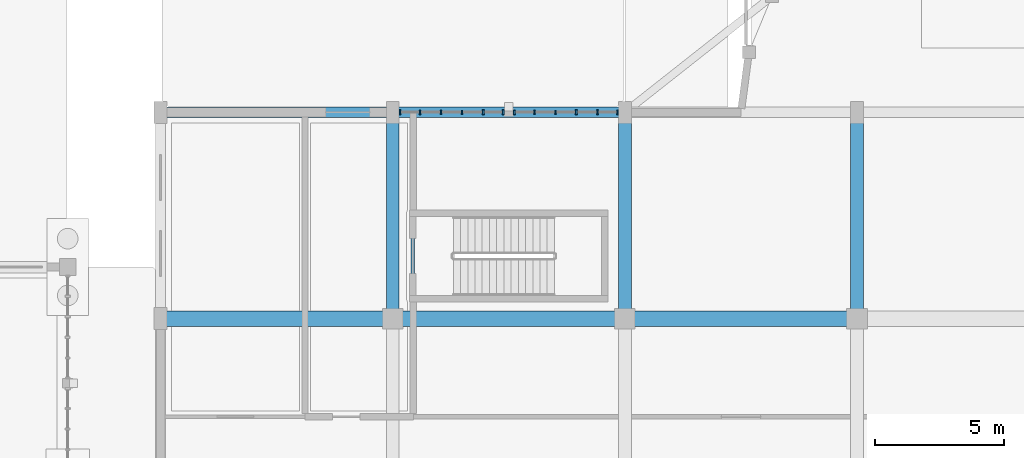
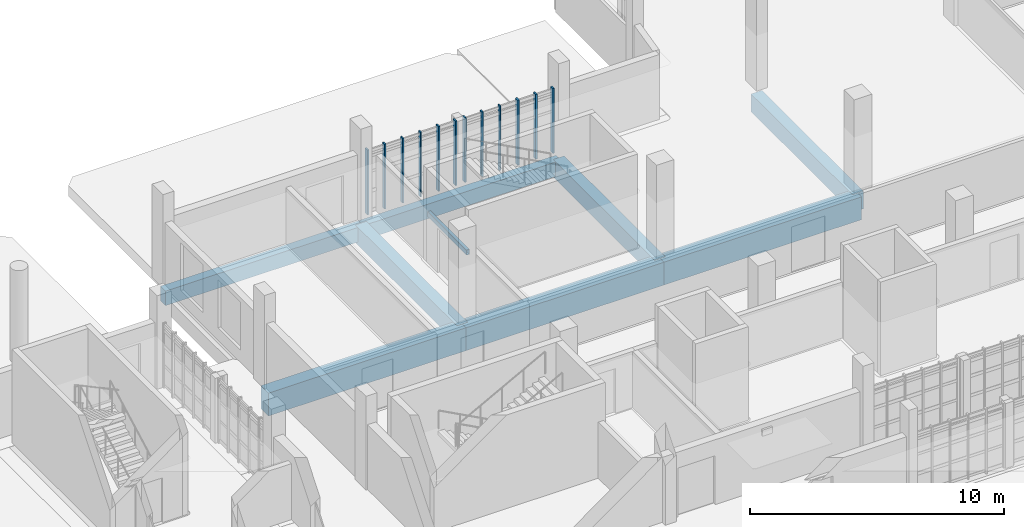
# One storey, part 17 of 63: 12 members, 9 beams, 2 elements without a shape of their own.
"""IFC4 building model written with IfcOpenShell, lengths in metres."""

from ifc_helpers import new_model, si_unit, direction, frame, origin, origin_2d, place, context, subcontext, project, spatial, rectangle, hollow_rectangle, extrude, material, material_profile, profile_set, type_object, element, aggregate, save


model = new_model("IFC4")

# Units and contexts
model_context = context("Model", 3, precision=1e-05, world=origin(), true_north=direction((0.0, 1.0)))
body_context = subcontext(model_context, "Body", "Model", "MODEL_VIEW")
ifc_project = project(units=[si_unit("LENGTHUNIT", "METRE"), si_unit("AREAUNIT", "SQUARE_METRE"), si_unit("VOLUMEUNIT", "CUBIC_METRE"), si_unit("PLANEANGLEUNIT", "RADIAN"), si_unit("MASSUNIT", "GRAM", prefix="KILO")], contexts=[model_context])

# Site, building, storey
site_placement = place(None, origin())
site = spatial("IfcSite", under=ifc_project, at=site_placement, CompositionType="ELEMENT")
building_placement = place(site_placement, origin())
building = spatial("IfcBuilding", under=site, at=building_placement, Name="Serraforn Aerial Cableway Station", CompositionType="ELEMENT")
storey_placement = place(building_placement, origin())
storey = spatial("IfcBuildingStorey", under=building, at=storey_placement, Name="L00", CompositionType="ELEMENT", Elevation=0.0)

# Beams
ifc_material_1 = material(Name="Concrete C35/45", Category="concrete")
ifc_material_profile_1 = material_profile(ifc_material_1, rectangle(XDim=0.39990234375, YDim=0.699951171875, at=origin_2d()), Name="RC 400x700")
ifc_profile_set_1 = profile_set([ifc_material_profile_1], Name="Concrete C35/45")
beam_type_1 = type_object("IfcBeamType", Name="BM-RC-400x700E", PredefinedType="SPANDREL", material=ifc_profile_set_1)
for number, where, z_axis, x_axis, name in (
    (1, (27.60009765625, 42.0, -0.7099609375), (1.0, 0.0, 0.0), (0.0, 1.0, 0.0), "Grid Girder X CV L00 Y4-1"),
    (2, (36.60009765625, 42.0, -0.7099609375), (1.0, 0.0, 0.0), (0.0, 1.0, 0.0), "Grid Girder X CV L00 Y4-2"),
):
    element("IfcBeam", number, at=place(storey_placement, frame(where, z_axis=z_axis, x_axis=x_axis)), inside=storey, type_object=beam_type_1, Name=name, PredefinedType="SPANDREL", context=body_context, shape_type="SweptSolid", body=[
        extrude(rectangle(XDim=0.39990234375, YDim=0.699951171875, at=origin_2d()), origin(), (0.0, 0.0, 1.0), 9.0),
    ])
ifc_material_profile_2 = material_profile(ifc_material_1, rectangle(XDim=0.5, YDim=0.85009765625, at=origin_2d()), Name="RC 500x850")
ifc_profile_set_2 = profile_set([ifc_material_profile_2], Name="Concrete C35/45")
beam_type_2 = type_object("IfcBeamType", Name="BM-RC-500x850", PredefinedType="USERDEFINED", material=ifc_profile_set_2)
for number, where, z_axis, x_axis, name in (
    (3, (36.60009765625, 34.0, -0.784912109375), (0.0, 1.0, 0.0), (-1.0, 0.0, 0.0), "Grid Girder Y CV L00 X2-3"),
    (4, (45.60009765625, 34.0, -0.784912109375), (0.0, 1.0, 0.0), (-1.0, 0.0, 0.0), "Grid Girder Y CV L00 X3-3"),
    (5, (54.60009765625, 34.0, -0.784912109375), (0.0, 1.0, 0.0), (-1.0, 0.0, 0.0), "Grid Girder Y CV L00 X4-3"),
):
    element("IfcBeam", number, at=place(storey_placement, frame(where, z_axis=z_axis, x_axis=x_axis)), inside=storey, type_object=beam_type_2, Name=name, ObjectType="GIRDER", PredefinedType="USERDEFINED", context=body_context, shape_type="SweptSolid", body=[
        extrude(rectangle(XDim=0.5, YDim=0.85009765625, at=origin_2d()), origin(), (0.0, 0.0, 1.0), 8.0),
    ])
ifc_material_2 = material(Name="Concrete C40/50", Category="concrete")
ifc_material_profile_3 = material_profile(ifc_material_2, rectangle(XDim=0.60009765625, YDim=1.10009765625, at=origin_2d()), Name="RC 600x1100")
ifc_profile_set_3 = profile_set([ifc_material_profile_3], Name="Concrete C40/50")
beam_type_3 = type_object("IfcBeamType", Name="BM-RC-600x1100", PredefinedType="USERDEFINED", material=ifc_profile_set_3)
for number, where, z_axis, x_axis, name in (
    (6, (27.60009765625, 34.0, -0.909912109375), (1.0, 0.0, 0.0), (0.0, 1.0, 0.0), "Grid Girder X CV L00 Y3-1"),
    (7, (36.60009765625, 34.0, -0.909912109375), (1.0, 0.0, 0.0), (0.0, 1.0, 0.0), "Grid Girder X CV L00 Y3-2"),
    (8, (45.60009765625, 34.0, -0.909912109375), (1.0, 0.0, 0.0), (0.0, 1.0, 0.0), "Grid Girder X CV L00 Y3-3"),
):
    element("IfcBeam", number, at=place(storey_placement, frame(where, z_axis=z_axis, x_axis=x_axis)), inside=storey, type_object=beam_type_3, Name=name, ObjectType="GIRDER", PredefinedType="USERDEFINED", context=body_context, shape_type="SweptSolid", body=[
        extrude(rectangle(XDim=0.60009765625, YDim=1.10009765625, at=origin_2d()), origin(), (0.0, 0.0, 1.0), 9.0),
    ])
ifc_material_3 = material(Name="Steel S355J2", Category="steel")
ifc_material_profile_4 = material_profile(ifc_material_3, hollow_rectangle(XDim=0.14990234375, YDim=0.25, WallThickness=0.010009765625, InnerFilletRadius=0.010009765625, OuterFilletRadius=0.02001953125, at=origin_2d()), Name="RHS 250x150x10.0")
ifc_profile_set_4 = profile_set([ifc_material_profile_4], Name="Steel S355J2")
beam_type_4 = type_object("IfcBeamType", Name="BM-ST-RHS250", PredefinedType="LINTEL", material=ifc_profile_set_4)
beam_placement = place(storey_placement, frame((37.375, 34.89990234375, 2.27490234375), z_axis=(0.0, 1.0, 0.0), x_axis=(-1.0, 0.0, 0.0)))
element("IfcBeam", 9, at=beam_placement, inside=storey, type_object=beam_type_4, Name="Stair Core Door Lintel D-S18", PredefinedType="LINTEL", context=body_context, shape_type="SweptSolid", body=[
    extrude(hollow_rectangle(XDim=0.14990234375, YDim=0.25, WallThickness=0.010009765625, InnerFilletRadius=0.010009765625, OuterFilletRadius=0.02001953125, at=origin_2d()), origin(), (0.0, 0.0, 1.0), 3.06005859375),
])

# Curtain wall, member
ifc_material_4 = material(Name="Anodised bronze unitised curtain wall")
curtain_wall_type_1 = type_object("IfcCurtainWallType", Name="CW-SYS-1", PredefinedType="USERDEFINED", material=ifc_material_4)
curtain_wall_1_placement = place(storey_placement, origin())
curtain_wall_1 = element("IfcCurtainWall", 10, at=curtain_wall_1_placement, inside=storey, type_object=curtain_wall_type_1, Name="Unitised Curtain Wall CW-CV-L00-N2A", ObjectType="UNITISED CURTAIN WALL", PredefinedType="USERDEFINED")
ifc_material_5 = material(Name="Anodised bronze extruded aluminium", Category="aluminium")
ifc_material_profile_5 = material_profile(ifc_material_5, rectangle(XDim=0.054931640625, YDim=0.139892578125, at=origin_2d()), Name="CW MULLION 55x140")
ifc_profile_set_5 = profile_set([ifc_material_profile_5], Name="Anodised bronze extruded aluminium")
member_type_1 = type_object("IfcMemberType", Name="CW-MUL-1", PredefinedType="MULLION", material=ifc_profile_set_5)
member_1_placement = place(storey_placement, frame((42.90869140625, 42.0, 0.0), z_axis=(0.0, 0.0, 1.0), x_axis=(-1.0, 0.0, 0.0)))
member_1 = element("IfcMember", 11, at=member_1_placement, type_object=member_type_1, Name="Curtain Wall Mullion CW-CV-L00-N2A-M4", PredefinedType="MULLION", context=body_context, shape_type="SweptSolid", body=[
    extrude(rectangle(XDim=0.054931640625, YDim=0.139892578125, at=origin_2d()), origin(), (0.0, 0.0, 1.0), 3.1201171875),
])

curtain_wall_type_2 = type_object("IfcCurtainWallType", Name="CW-SYS-2", PredefinedType="USERDEFINED", material=ifc_material_4)
curtain_wall_2_placement = place(storey_placement, origin())
curtain_wall_2 = element("IfcCurtainWall", 12, at=curtain_wall_2_placement, inside=storey, type_object=curtain_wall_type_2, Name="Unitised Curtain Wall CW-CV-L00-N2B", ObjectType="UNITISED CURTAIN WALL", PredefinedType="USERDEFINED")
member_2_placement = place(storey_placement, frame((39.291259765625, 42.0, 0.0), z_axis=(0.0, 0.0, 1.0), x_axis=(-1.0, 0.0, 0.0)))
member_2 = element("IfcMember", 13, at=member_2_placement, type_object=member_type_1, Name="Curtain Wall Mullion CW-CV-L00-N2B-M3", PredefinedType="MULLION", context=body_context, shape_type="SweptSolid", body=[
    extrude(rectangle(XDim=0.054931640625, YDim=0.139892578125, at=origin_2d()), origin(), (0.0, 0.0, 1.0), 3.1201171875),
])

# Member
ifc_material_profile_6 = material_profile(ifc_material_5, rectangle(XDim=0.06005859375, YDim=0.159912109375, at=origin_2d()), Name="CW MULLION 60x160")
ifc_profile_set_6 = profile_set([ifc_material_profile_6], Name="Anodised bronze extruded aluminium")
member_type_2 = type_object("IfcMemberType", Name="CW-MUL-2", PredefinedType="MULLION", material=ifc_profile_set_6)
member_3_placement = place(storey_placement, frame((42.094482421875, 42.0, 0.0), z_axis=(0.0, 0.0, 1.0), x_axis=(-1.0, 0.0, 0.0)))
member_3 = element("IfcMember", 14, at=member_3_placement, type_object=member_type_2, Name="Curtain Wall Mullion CW-CV-L00-N2A-M5", PredefinedType="MULLION", context=body_context, shape_type="SweptSolid", body=[
    extrude(rectangle(XDim=0.06005859375, YDim=0.159912109375, at=origin_2d()), origin(), (0.0, 0.0, 1.0), 3.1201171875),
])

member_4_placement = place(storey_placement, frame((38.476806640625, 42.0, 0.0), z_axis=(0.0, 0.0, 1.0), x_axis=(-1.0, 0.0, 0.0)))
member_4 = element("IfcMember", 15, at=member_4_placement, type_object=member_type_2, Name="Curtain Wall Mullion CW-CV-L00-N2B-M4", PredefinedType="MULLION", context=body_context, shape_type="SweptSolid", body=[
    extrude(rectangle(XDim=0.06005859375, YDim=0.159912109375, at=origin_2d()), origin(), (0.0, 0.0, 1.0), 3.1201171875),
])

ifc_material_profile_7 = material_profile(ifc_material_5, rectangle(XDim=0.06494140625, YDim=0.175048828125, at=origin_2d()), Name="CW MULLION 65x175")
ifc_profile_set_7 = profile_set([ifc_material_profile_7], Name="Anodised bronze extruded aluminium")
member_type_3 = type_object("IfcMemberType", Name="CW-MUL-3", PredefinedType="MULLION", material=ifc_profile_set_7)
member_5_placement = place(storey_placement, frame((45.319580078125, 42.0, 0.0), z_axis=(0.0, 0.0, 1.0), x_axis=(-1.0, 0.0, 0.0)))
member_5 = element("IfcMember", 16, at=member_5_placement, type_object=member_type_3, Name="Curtain Wall Mullion CW-CV-L00-N2A-M1", PredefinedType="MULLION", context=body_context, shape_type="SweptSolid", body=[
    extrude(rectangle(XDim=0.06494140625, YDim=0.175048828125, at=origin_2d()), origin(), (0.0, 0.0, 1.0), 3.1201171875),
])

member_6_placement = place(storey_placement, frame((41.3125, 42.0, 0.0), z_axis=(0.0, 0.0, 1.0), x_axis=(-1.0, 0.0, 0.0)))
member_6 = element("IfcMember", 17, at=member_6_placement, type_object=member_type_3, Name="Curtain Wall Mullion CW-CV-L00-N2A-M6", PredefinedType="MULLION", context=body_context, shape_type="SweptSolid", body=[
    extrude(rectangle(XDim=0.06494140625, YDim=0.175048828125, at=origin_2d()), origin(), (0.0, 0.0, 1.0), 3.1201171875),
])

member_7_placement = place(storey_placement, frame((37.662353515625, 42.0, 0.0), z_axis=(0.0, 0.0, 1.0), x_axis=(-1.0, 0.0, 0.0)))
member_7 = element("IfcMember", 18, at=member_7_placement, type_object=member_type_3, Name="Curtain Wall Mullion CW-CV-L00-N2B-M5", PredefinedType="MULLION", context=body_context, shape_type="SweptSolid", body=[
    extrude(rectangle(XDim=0.06494140625, YDim=0.175048828125, at=origin_2d()), origin(), (0.0, 0.0, 1.0), 3.1201171875),
])

ifc_material_profile_8 = material_profile(ifc_material_5, rectangle(XDim=0.070068359375, YDim=0.18994140625, at=origin_2d()), Name="CW MULLION 70x190")
ifc_profile_set_8 = profile_set([ifc_material_profile_8], Name="Anodised bronze extruded aluminium")
member_type_4 = type_object("IfcMemberType", Name="CW-MUL-4", PredefinedType="MULLION", material=ifc_profile_set_8)
member_8_placement = place(storey_placement, frame((44.53759765625, 42.0, 0.0), z_axis=(0.0, 0.0, 1.0), x_axis=(-1.0, 0.0, 0.0)))
member_8 = element("IfcMember", 19, at=member_8_placement, type_object=member_type_4, Name="Curtain Wall Mullion CW-CV-L00-N2A-M2", PredefinedType="MULLION", context=body_context, shape_type="SweptSolid", body=[
    extrude(rectangle(XDim=0.070068359375, YDim=0.18994140625, at=origin_2d()), origin(), (0.0, 0.0, 1.0), 3.1201171875),
])

member_9_placement = place(storey_placement, frame((40.885009765625, 42.0, 0.0), z_axis=(0.0, 0.0, 1.0), x_axis=(-1.0, 0.0, 0.0)))
member_9 = element("IfcMember", 20, at=member_9_placement, type_object=member_type_4, Name="Curtain Wall Mullion CW-CV-L00-N2B-M1", PredefinedType="MULLION", context=body_context, shape_type="SweptSolid", body=[
    extrude(rectangle(XDim=0.070068359375, YDim=0.18994140625, at=origin_2d()), origin(), (0.0, 0.0, 1.0), 3.1201171875),
])

member_10_placement = place(storey_placement, frame((36.883056640625, 42.0, 0.0), z_axis=(0.0, 0.0, 1.0), x_axis=(-1.0, 0.0, 0.0)))
member_10 = element("IfcMember", 21, at=member_10_placement, type_object=member_type_4, Name="Curtain Wall Mullion CW-CV-L00-N2B-M6", PredefinedType="MULLION", context=body_context, shape_type="SweptSolid", body=[
    extrude(rectangle(XDim=0.070068359375, YDim=0.18994140625, at=origin_2d()), origin(), (0.0, 0.0, 1.0), 3.1201171875),
])

ifc_material_profile_9 = material_profile(ifc_material_5, rectangle(XDim=0.074951171875, YDim=0.199951171875, at=origin_2d()), Name="CW MULLION 75x200")
ifc_profile_set_9 = profile_set([ifc_material_profile_9], Name="Anodised bronze extruded aluminium")
member_type_5 = type_object("IfcMemberType", Name="CW-MUL-5", PredefinedType="MULLION", material=ifc_profile_set_9)
member_11_placement = place(storey_placement, frame((43.72314453125, 42.0, 0.0), z_axis=(0.0, 0.0, 1.0), x_axis=(-1.0, 0.0, 0.0)))
member_11 = element("IfcMember", 22, at=member_11_placement, type_object=member_type_5, Name="Curtain Wall Mullion CW-CV-L00-N2A-M3", PredefinedType="MULLION", context=body_context, shape_type="SweptSolid", body=[
    extrude(rectangle(XDim=0.074951171875, YDim=0.199951171875, at=origin_2d()), origin(), (0.0, 0.0, 1.0), 3.1201171875),
])

aggregate(curtain_wall_1, [member_5, member_8, member_11, member_1, member_3, member_6])

member_12_placement = place(storey_placement, frame((40.105712890625, 42.0, 0.0), z_axis=(0.0, 0.0, 1.0), x_axis=(-1.0, 0.0, 0.0)))
member_12 = element("IfcMember", 23, at=member_12_placement, type_object=member_type_5, Name="Curtain Wall Mullion CW-CV-L00-N2B-M2", PredefinedType="MULLION", context=body_context, shape_type="SweptSolid", body=[
    extrude(rectangle(XDim=0.074951171875, YDim=0.199951171875, at=origin_2d()), origin(), (0.0, 0.0, 1.0), 3.1201171875),
])

aggregate(curtain_wall_2, [member_9, member_12, member_2, member_4, member_7, member_10])

save(model, "model.ifc")
